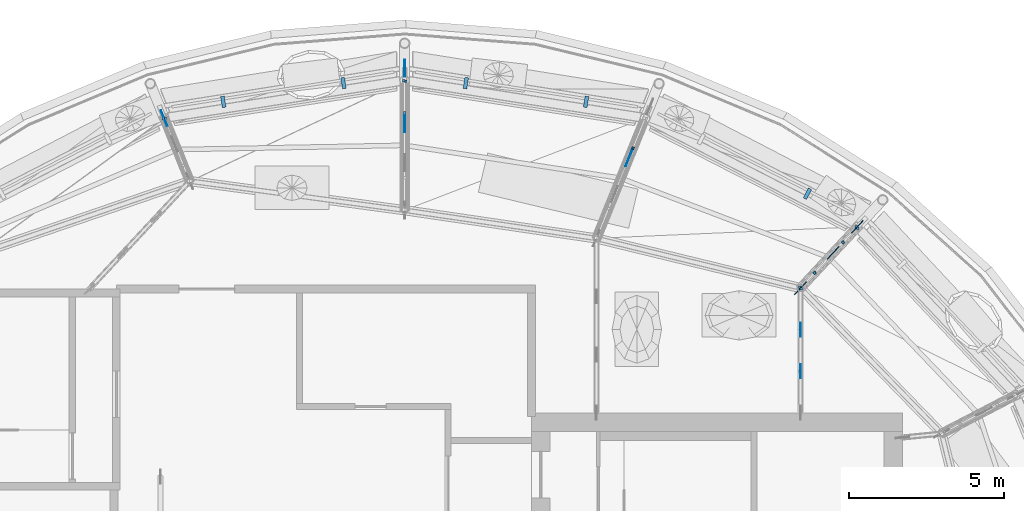
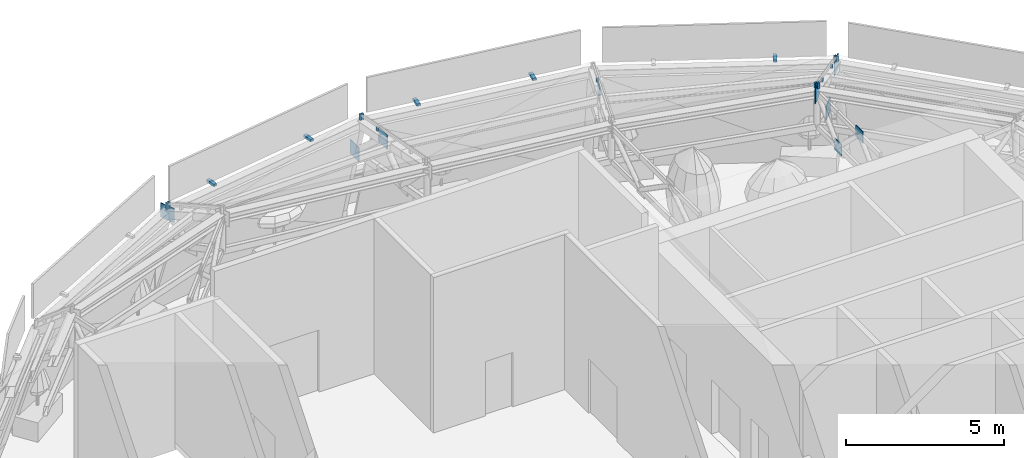
# One storey, part 27 of 40: 26 discrete accessories.
"""IFC4 building model written with IfcOpenShell, lengths in metres."""

from ifc_helpers import new_model, si_unit, direction, frame, origin, origin_2d, place, context, subcontext, project, spatial, rectangle, extrude, material, type_object, element, save


model = new_model("IFC4")

# Units and contexts
model_context = context("Model", 3, precision=1e-05, world=origin(), true_north=direction((0.0, 1.0)))
body_context = subcontext(model_context, "Body", "Model", "MODEL_VIEW")
ifc_project = project(units=[si_unit("LENGTHUNIT", "METRE"), si_unit("AREAUNIT", "SQUARE_METRE"), si_unit("VOLUMEUNIT", "CUBIC_METRE"), si_unit("PLANEANGLEUNIT", "RADIAN"), si_unit("MASSUNIT", "GRAM", prefix="KILO")], contexts=[model_context])

# Site, building, storey
site_placement = place(None, origin())
site = spatial("IfcSite", under=ifc_project, at=site_placement, CompositionType="ELEMENT")
building_placement = place(site_placement, origin())
building = spatial("IfcBuilding", under=site, at=building_placement, Name="Taillehof Tower", CompositionType="ELEMENT")
storey_placement = place(building_placement, frame((0.0, 0.0, 275.199951171875)))
storey = spatial("IfcBuildingStorey", under=building, at=storey_placement, Name="L77", CompositionType="ELEMENT", Elevation=275.199951171875)

# Discrete accessories
ifc_material_1 = material(Name="Steel S460M", Category="steel")
discrete_accessory_type_1 = type_object("IfcDiscreteAccessoryType", Name="Steel bracket", PredefinedType="BRACKET", material=ifc_material_1)
for number, where, z_axis, x_axis, name in (
    (1, (14.5546875, 15.974853515625, 4.44384765625), (0.0, 0.0, 1.0), (1.0, 0.0, 0.0), "Canopy glazing seat"),
    (2, (12.731689453125, 14.017333984375, 5.236328125), (0.0, 0.0, 1.0), (1.0, 0.0, 0.0), "Canopy glazing seat"),
):
    element("IfcDiscreteAccessory", number, at=place(storey_placement, frame(where, z_axis=z_axis, x_axis=x_axis)), inside=storey, type_object=discrete_accessory_type_1, Name=name, PredefinedType="BRACKET", context=body_context, shape_type="SweptSolid", body=[
        extrude(rectangle(XDim=0.080078125, YDim=0.080078125, at=origin_2d()), origin(), (0.0, 0.0, 1.0), 0.234619140625),
    ])
for number, where, z_axis, x_axis, name in (
    (3, (14.080810546875, 15.51318359375, 4.64013671875), (0.0, 0.0, 1.0), (-0.681856660981, -0.731485812491, 0.0), "Canopy glazing seat"),
    (4, (13.16015625, 14.52587890625, 5.0400390625), (0.0, 0.0, 1.0), (-0.681856660981, -0.731485812491, 0.0), "Canopy glazing seat"),
):
    element("IfcDiscreteAccessory", number, at=place(storey_placement, frame(where, z_axis=z_axis, x_axis=x_axis)), inside=storey, type_object=discrete_accessory_type_1, Name=name, PredefinedType="BRACKET", context=body_context, shape_type="SweptSolid", body=[
        extrude(rectangle(XDim=0.080078125, YDim=0.080078125, at=origin_2d()), origin(), (0.0, 0.0, 1.0), 0.142578125),
    ])
for number, where, z_axis, x_axis, name in (
    (5, (14.506103515625, 16.009521484375, 4.44287109375), (0.0, 0.0, 1.0), (1.0, 0.0, 0.0), "Canopy glazing seat"),
    (6, (12.67431640625, 14.055908203125, 5.234375), (0.0, 0.0, 1.0), (1.0, 0.0, 0.0), "Canopy glazing seat"),
):
    element("IfcDiscreteAccessory", number, at=place(storey_placement, frame(where, z_axis=z_axis, x_axis=x_axis)), inside=storey, type_object=discrete_accessory_type_1, Name=name, PredefinedType="BRACKET", context=body_context, shape_type="SweptSolid", body=[
        extrude(rectangle(XDim=0.080078125, YDim=0.080078125, at=origin_2d()), origin(), (0.0, 0.0, 1.0), 0.234619140625),
    ])
discrete_accessory_1_placement = place(storey_placement, frame((7.2822265625, 18.55859375, 4.64013671875), z_axis=(0.0, 0.0, 1.0), x_axis=(-0.374959342853, -0.927041256475, 0.0)))
element("IfcDiscreteAccessory", 7, at=discrete_accessory_1_placement, inside=storey, type_object=discrete_accessory_type_1, Name="Canopy glazing seat", PredefinedType="BRACKET", context=body_context, shape_type="SweptSolid", body=[
    extrude(rectangle(XDim=0.080078125, YDim=0.080078125, at=origin_2d()), origin(), (0.0, 0.0, 1.0), 0.142578125),
])
discrete_accessory_2_placement = place(storey_placement, frame((-0.072021484375, 20.72900390625, 4.443359375), z_axis=(0.0, 0.0, 1.0), x_axis=(1.0, 0.0, 0.0)))
element("IfcDiscreteAccessory", 8, at=discrete_accessory_2_placement, inside=storey, type_object=discrete_accessory_type_1, Name="Canopy glazing seat", PredefinedType="BRACKET", context=body_context, shape_type="SweptSolid", body=[
    extrude(rectangle(XDim=0.080078125, YDim=0.080078125, at=origin_2d()), origin(), (0.0, 0.0, 1.0), 0.243408203125),
])
discrete_accessory_3_placement = place(storey_placement, frame((-0.10009765625, 19.699951171875, 4.639892578125), z_axis=(0.0, 0.0, 1.0), x_axis=(0.0, -1.0, 0.0)))
element("IfcDiscreteAccessory", 9, at=discrete_accessory_3_placement, inside=storey, type_object=discrete_accessory_type_1, Name="Canopy glazing seat", PredefinedType="BRACKET", context=body_context, shape_type="SweptSolid", body=[
    extrude(rectangle(XDim=0.080078125, YDim=0.080078125, at=origin_2d()), origin(), (0.0, 0.0, 1.0), 0.1513671875),
])
discrete_accessory_4_placement = place(storey_placement, frame((-0.130126953125, 20.732177734375, 4.44482421875), z_axis=(0.0, 0.0, 1.0), x_axis=(1.0, 0.0, 0.0)))
element("IfcDiscreteAccessory", 10, at=discrete_accessory_4_placement, inside=storey, type_object=discrete_accessory_type_1, Name="Canopy glazing seat", PredefinedType="BRACKET", context=body_context, shape_type="SweptSolid", body=[
    extrude(rectangle(XDim=0.080078125, YDim=0.080078125, at=origin_2d()), origin(), (0.0, 0.0, 1.0), 0.243408203125),
])
for number, where, z_axis, x_axis, name in (
    (11, (-7.841796875, 19.524169921875, 4.44482421875), (0.0, 0.0, 1.0), (1.0, 0.0, 0.0), "Canopy glazing seat"),
    (12, (-7.903076171875, 19.509765625, 4.4453125), (0.0, 0.0, 1.0), (1.0, 0.0, 0.0), "Canopy glazing seat"),
):
    element("IfcDiscreteAccessory", number, at=place(storey_placement, frame(where, z_axis=z_axis, x_axis=x_axis)), inside=storey, type_object=discrete_accessory_type_1, Name=name, PredefinedType="BRACKET", context=body_context, shape_type="SweptSolid", body=[
        extrude(rectangle(XDim=0.080078125, YDim=0.080078125, at=origin_2d()), origin(), (0.0, 0.0, 1.0), 0.275146484375),
    ])
for number, where, z_axis, x_axis, name in (
    (13, (12.92626953125, 17.08349609375, 4.429931640625), (0.0, 0.0, 1.0), (0.46114473719, 0.887324929979, 0.0), "Crown fascia bracket"),
    (14, (5.7666015625, 20.0537109375, 4.429931640625), (0.0, 0.0, 1.0), (0.15680163243, 0.987630117031, 0.0), "Crown fascia bracket"),
    (15, (1.87841796875, 20.662841796875, 4.429931640625), (0.0, 0.0, 1.0), (0.15680163243, 0.987630117031, 0.0), "Crown fascia bracket"),
    (16, (-2.07861328125, 20.662841796875, 4.429931640625), (0.0, 0.0, 1.0), (-0.15680163243, 0.987630117031, 0.0), "Crown fascia bracket"),
    (17, (-5.966552734375, 20.0537109375, 4.429931640625), (0.0, 0.0, 1.0), (-0.15680163243, 0.987630117031, 0.0), "Crown fascia bracket"),
):
    element("IfcDiscreteAccessory", number, at=place(storey_placement, frame(where, z_axis=z_axis, x_axis=x_axis)), inside=storey, type_object=discrete_accessory_type_1, Name=name, PredefinedType="BRACKET", context=body_context, shape_type="SweptSolid", body=[
        extrude(rectangle(XDim=0.360107421875, YDim=0.1201171875, at=origin_2d()), origin(), (0.0, 0.0, 1.0), 0.10009765625),
    ])
ifc_material_2 = material(Name="Steel S460M", Category="steel")
discrete_accessory_type_2 = type_object("IfcDiscreteAccessoryType", Name="Steel gusset plate", PredefinedType="BRACKET", material=ifc_material_2)
for number, where, z_axis, x_axis, name in (
    (18, (-7.8798828125, 19.530029296875, 4.02490234375), (0.0, 0.0, 1.0), (0.374844462526, -0.927087713711, 0.0), "Gusset plate 363"),
    (19, (-0.10009765625, 19.35009765625, 4.294921875), (0.0, 0.0, 1.0), (0.0, -1.0, 0.0), "Gusset plate 380"),
    (20, (-0.10009765625, 21.14990234375, 2.72509765625), (0.0, 0.0, 1.0), (0.0, -1.0, 0.0), "Gusset plate 381"),
    (21, (7.14990234375, 18.22998046875, 4.294921875), (0.0, 0.0, 1.0), (-0.374839608301, -0.927089676379, 0.0), "Gusset plate 394"),
):
    element("IfcDiscreteAccessory", number, at=place(storey_placement, frame(where, z_axis=z_axis, x_axis=x_axis)), inside=storey, type_object=discrete_accessory_type_2, Name=name, PredefinedType="BRACKET", context=body_context, shape_type="SweptSolid", body=[
        extrude(rectangle(XDim=0.550048828125, YDim=0.02490234375, at=origin_2d()), origin(), (0.0, 0.0, 1.0), 0.550048828125),
    ])
for number, where, z_axis, x_axis, name in (
    (22, (12.699951171875, 11.340087890625, 4.875), (0.0, 0.0, 1.0), (0.0, -1.0, 0.0), "Gusset plate 398"),
    (23, (12.699951171875, 12.68994140625, 3.5751953125), (0.0, 0.0, 1.0), (0.0, -1.0, 0.0), "Gusset plate 399"),
):
    element("IfcDiscreteAccessory", number, at=place(storey_placement, frame(where, z_axis=z_axis, x_axis=x_axis)), inside=storey, type_object=discrete_accessory_type_2, Name=name, PredefinedType="BRACKET", context=body_context, shape_type="SweptSolid", body=[
        extrude(rectangle(XDim=0.449951171875, YDim=0.02490234375, at=origin_2d()), origin(), (0.0, 0.0, 1.0), 0.449951171875),
    ])
for number, where, z_axis, x_axis, name in (
    (24, (12.699951171875, 14.030029296875, 4.8251953125), (0.0, 0.0, 1.0), (-0.681845170745, -0.73149652298, 0.0), "Gusset plate 400"),
    (25, (13.760009765625, 15.169921875, 3.125), (0.0, 0.0, 1.0), (-0.681845170745, -0.73149652298, 0.0), "Gusset plate 405"),
    (26, (14.5400390625, 16.010009765625, 4.02490234375), (0.0, 0.0, 1.0), (-0.681845170745, -0.73149652298, 0.0), "Gusset plate 408"),
):
    element("IfcDiscreteAccessory", number, at=place(storey_placement, frame(where, z_axis=z_axis, x_axis=x_axis)), inside=storey, type_object=discrete_accessory_type_2, Name=name, PredefinedType="BRACKET", context=body_context, shape_type="SweptSolid", body=[
        extrude(rectangle(XDim=0.550048828125, YDim=0.02490234375, at=origin_2d()), origin(), (0.0, 0.0, 1.0), 0.550048828125),
    ])

save(model, "model.ifc")
